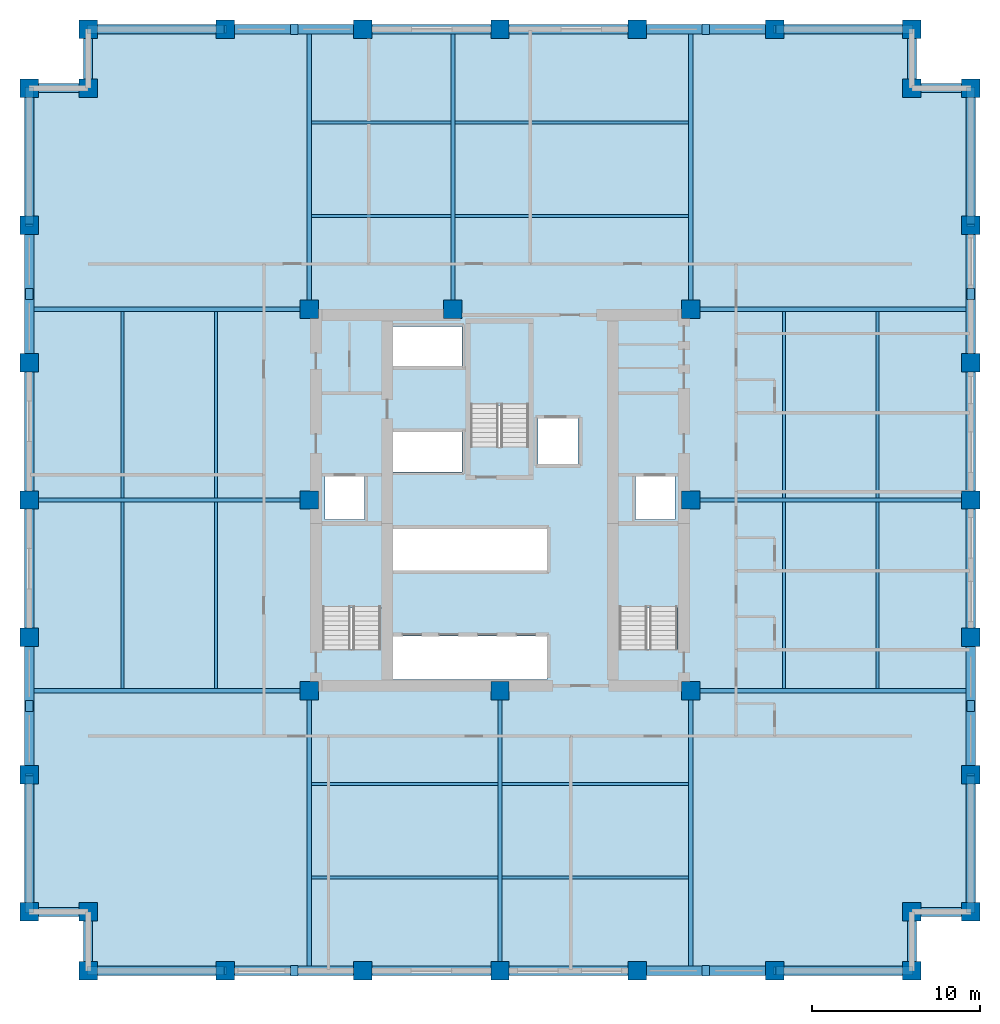
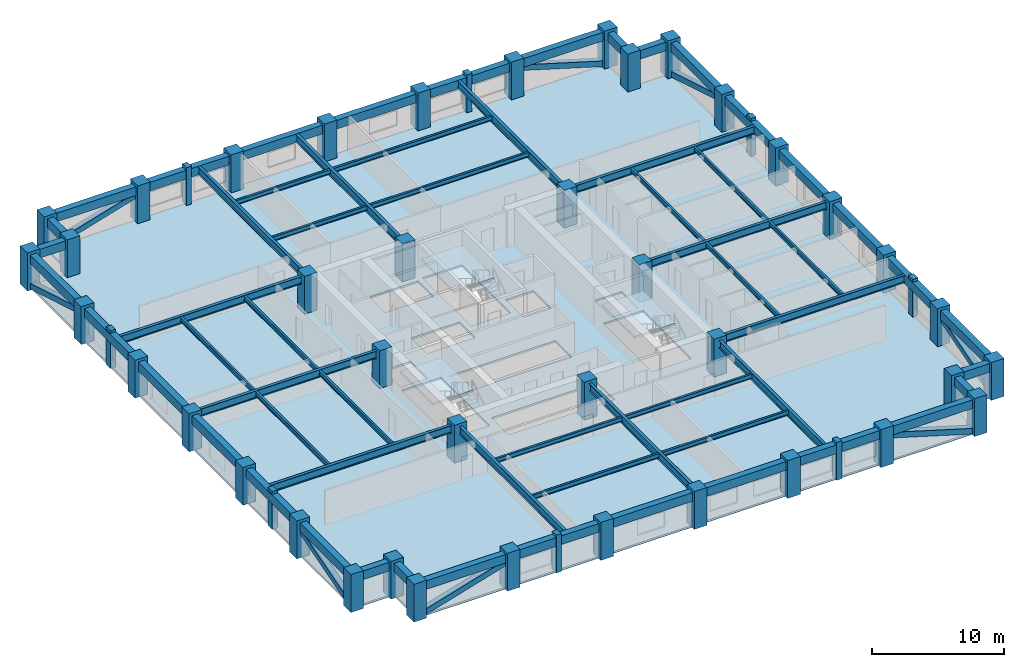
# One storey, part 1 of 7: 60 beams, 40 columns, 16 members, 4 slabs, 3 elements without a shape of their own.
"""IFC4 building model written with IfcOpenShell, lengths in metres."""

from ifc_helpers import new_model, si_unit, direction, frame, origin, origin_2d, place, context, subcontext, project, spatial, polyline, rectangle, hollow_rectangle, i_section, outline, extrude, material, layer, layer_set, material_profile, profile_set, type_object, element, aggregate, save


model = new_model("IFC4")

# Units and contexts
model_context = context("Model", 3, precision=1e-05, world=origin(), true_north=direction((0.0, 1.0)))
body_context = subcontext(model_context, "Body", "Model", "MODEL_VIEW")
ifc_project = project(units=[si_unit("LENGTHUNIT", "METRE"), si_unit("AREAUNIT", "SQUARE_METRE"), si_unit("VOLUMEUNIT", "CUBIC_METRE"), si_unit("PLANEANGLEUNIT", "RADIAN"), si_unit("MASSUNIT", "GRAM", prefix="KILO")], contexts=[model_context])

# Site, building, storey
site_placement = place(None, origin())
site = spatial("IfcSite", under=ifc_project, at=site_placement, CompositionType="ELEMENT")
building_placement = place(site_placement, origin())
building = spatial("IfcBuilding", under=site, at=building_placement, Name="Nhamokura Convention Tower", CompositionType="ELEMENT")
storey_placement = place(building_placement, frame((0.0, 0.0, 73.85009765625)))
storey = spatial("IfcBuildingStorey", under=building, at=storey_placement, Name="L17", CompositionType="ELEMENT", Elevation=73.85009765625)

# Columns
ifc_material_1 = material(Name="Concrete C60/75", Category="concrete")
ifc_material_profile_1 = material_profile(ifc_material_1, rectangle(XDim=1.10009765625, YDim=1.10009765625, at=origin_2d()))
ifc_profile_set_1 = profile_set([ifc_material_profile_1], Name="Concrete C60/75")
column_type = type_object("IfcColumnType", Name="TubeColumn_Z1_1100", PredefinedType="COLUMN", material=ifc_profile_set_1)
for number, where, z_axis, x_axis, name in (
    (1, (20.64990234375, 20.64990234375, 0.0), (0.0, 0.0, 1.0), (1.0, 0.0, 0.0), "L17 Core Column CC-SW"),
    (2, (32.0, 20.64990234375, 0.0), (0.0, 0.0, 1.0), (1.0, 0.0, 0.0), "L17 Core Column CC-S"),
    (3, (43.35009765625, 20.64990234375, 0.0), (0.0, 0.0, 1.0), (1.0, 0.0, 0.0), "L17 Core Column CC-SE"),
    (4, (43.35009765625, 32.0, 0.0), (0.0, 0.0, 1.0), (1.0, 0.0, 0.0), "L17 Core Column CC-E"),
    (5, (43.35009765625, 43.35009765625, 0.0), (0.0, 0.0, 1.0), (1.0, 0.0, 0.0), "L17 Core Column CC-NE"),
    (6, (29.199951171875, 43.35009765625, 0.0), (0.0, 0.0, 1.0), (1.0, 0.0, 0.0), "L17 Core Column CC-N"),
    (7, (20.64990234375, 43.35009765625, 0.0), (0.0, 0.0, 1.0), (1.0, 0.0, 0.0), "L17 Core Column CC-NW"),
    (8, (20.64990234375, 32.0, 0.0), (0.0, 0.0, 1.0), (1.0, 0.0, 0.0), "L17 Core Column CC-W"),
    (9, (7.5, 4.0, 0.0), (0.0, 0.0, 1.0), (1.0, 0.0, 0.0), "L17 Perimeter Tube Column SW1"),
    (10, (7.5, 7.5, 0.0), (0.0, 0.0, 1.0), (1.0, 0.0, 0.0), "L17 Perimeter Tube Column SW0"),
    (11, (4.0, 7.5, 0.0), (0.0, 0.0, 1.0), (1.0, 0.0, 0.0), "L17 Perimeter Tube Column SW2"),
    (12, (56.5, 4.0, 0.0), (0.0, 0.0, 1.0), (1.0, 0.0, 0.0), "L17 Perimeter Tube Column SE1"),
    (13, (56.5, 7.5, 0.0), (0.0, 0.0, 1.0), (1.0, 0.0, 0.0), "L17 Perimeter Tube Column SE0"),
    (14, (60.0, 7.5, 0.0), (0.0, 0.0, 1.0), (1.0, 0.0, 0.0), "L17 Perimeter Tube Column SE2"),
    (15, (60.0, 56.5, 0.0), (0.0, 0.0, 1.0), (1.0, 0.0, 0.0), "L17 Perimeter Tube Column NE1"),
    (16, (56.5, 56.5, 0.0), (0.0, 0.0, 1.0), (1.0, 0.0, 0.0), "L17 Perimeter Tube Column NE0"),
    (17, (56.5, 60.0, 0.0), (0.0, 0.0, 1.0), (1.0, 0.0, 0.0), "L17 Perimeter Tube Column NE2"),
    (18, (7.5, 60.0, 0.0), (0.0, 0.0, 1.0), (1.0, 0.0, 0.0), "L17 Perimeter Tube Column NW1"),
    (19, (7.5, 56.5, 0.0), (0.0, 0.0, 1.0), (1.0, 0.0, 0.0), "L17 Perimeter Tube Column NW0"),
    (20, (4.0, 56.5, 0.0), (0.0, 0.0, 1.0), (1.0, 0.0, 0.0), "L17 Perimeter Tube Column NW2"),
    (21, (15.666748046875, 4.0, 0.0), (0.0, 0.0, 1.0), (1.0, 0.0, 0.0), "L17 Perimeter Tube Column S1"),
    (22, (15.666748046875, 60.0, 0.0), (0.0, 0.0, 1.0), (1.0, 0.0, 0.0), "L17 Perimeter Tube Column N1"),
    (23, (4.0, 15.666748046875, 0.0), (0.0, 0.0, 1.0), (1.0, 0.0, 0.0), "L17 Perimeter Tube Column W1"),
    (24, (60.0, 15.666748046875, 0.0), (0.0, 0.0, 1.0), (1.0, 0.0, 0.0), "L17 Perimeter Tube Column E1"),
    (25, (23.833251953125, 4.0, 0.0), (0.0, 0.0, 1.0), (1.0, 0.0, 0.0), "L17 Perimeter Tube Column S2"),
    (26, (23.833251953125, 60.0, 0.0), (0.0, 0.0, 1.0), (1.0, 0.0, 0.0), "L17 Perimeter Tube Column N2"),
    (27, (4.0, 23.833251953125, 0.0), (0.0, 0.0, 1.0), (1.0, 0.0, 0.0), "L17 Perimeter Tube Column W2"),
    (28, (60.0, 23.833251953125, 0.0), (0.0, 0.0, 1.0), (1.0, 0.0, 0.0), "L17 Perimeter Tube Column E2"),
    (29, (32.0, 4.0, 0.0), (0.0, 0.0, 1.0), (1.0, 0.0, 0.0), "L17 Perimeter Tube Column S3"),
    (30, (32.0, 60.0, 0.0), (0.0, 0.0, 1.0), (1.0, 0.0, 0.0), "L17 Perimeter Tube Column N3"),
    (31, (4.0, 32.0, 0.0), (0.0, 0.0, 1.0), (1.0, 0.0, 0.0), "L17 Perimeter Tube Column W3"),
    (32, (60.0, 32.0, 0.0), (0.0, 0.0, 1.0), (1.0, 0.0, 0.0), "L17 Perimeter Tube Column E3"),
    (33, (40.166748046875, 4.0, 0.0), (0.0, 0.0, 1.0), (1.0, 0.0, 0.0), "L17 Perimeter Tube Column S4"),
    (34, (40.166748046875, 60.0, 0.0), (0.0, 0.0, 1.0), (1.0, 0.0, 0.0), "L17 Perimeter Tube Column N4"),
    (35, (4.0, 40.166748046875, 0.0), (0.0, 0.0, 1.0), (1.0, 0.0, 0.0), "L17 Perimeter Tube Column W4"),
    (36, (60.0, 40.166748046875, 0.0), (0.0, 0.0, 1.0), (1.0, 0.0, 0.0), "L17 Perimeter Tube Column E4"),
    (37, (48.333251953125, 4.0, 0.0), (0.0, 0.0, 1.0), (1.0, 0.0, 0.0), "L17 Perimeter Tube Column S5"),
    (38, (48.333251953125, 60.0, 0.0), (0.0, 0.0, 1.0), (1.0, 0.0, 0.0), "L17 Perimeter Tube Column N5"),
    (39, (4.0, 48.333251953125, 0.0), (0.0, 0.0, 1.0), (1.0, 0.0, 0.0), "L17 Perimeter Tube Column W5"),
    (40, (60.0, 48.333251953125, 0.0), (0.0, 0.0, 1.0), (1.0, 0.0, 0.0), "L17 Perimeter Tube Column E5"),
):
    element("IfcColumn", number, at=place(storey_placement, frame(where, z_axis=z_axis, x_axis=x_axis)), inside=storey, type_object=column_type, Name=name, PredefinedType="COLUMN", context=body_context, shape_type="SweptSolid", body=[
        extrude(rectangle(XDim=1.10009765625, YDim=1.10009765625, at=origin_2d()), origin(), (0.0, 0.0, 1.0), 3.5),
    ])

# Members
ifc_material_2 = material(Name="Bronze-pigmented precast concrete C45/55", Category="concrete")
ifc_material_profile_2 = material_profile(ifc_material_2, rectangle(XDim=0.449951171875, YDim=0.64990234375, at=origin_2d()))
ifc_profile_set_2 = profile_set([ifc_material_profile_2], Name="Bronze-pigmented precast concrete C45/55")
member_type_1 = type_object("IfcMemberType", Name="BronzePilaster_650", PredefinedType="USERDEFINED", material=ifc_profile_set_2)
for number, where, z_axis, x_axis, name in (
    (41, (19.75, 4.0, 0.0), (0.0, 0.0, 1.0), (1.0, 0.0, 0.0), "L17 Engaged Frame Pilaster SOUTH 1"),
    (42, (44.25, 4.0, 0.0), (0.0, 0.0, 1.0), (1.0, 0.0, 0.0), "L17 Engaged Frame Pilaster SOUTH 4"),
    (43, (19.75, 60.0, 0.0), (0.0, 0.0, 1.0), (1.0, 0.0, 0.0), "L17 Engaged Frame Pilaster NORTH 1"),
    (44, (44.25, 60.0, 0.0), (0.0, 0.0, 1.0), (1.0, 0.0, 0.0), "L17 Engaged Frame Pilaster NORTH 4"),
    (45, (4.0, 19.75, 0.0), (0.0, 0.0, 1.0), (1.0, 0.0, 0.0), "L17 Engaged Frame Pilaster WEST 1"),
    (46, (4.0, 44.25, 0.0), (0.0, 0.0, 1.0), (1.0, 0.0, 0.0), "L17 Engaged Frame Pilaster WEST 4"),
    (47, (60.0, 19.75, 0.0), (0.0, 0.0, 1.0), (1.0, 0.0, 0.0), "L17 Engaged Frame Pilaster EAST 1"),
    (48, (60.0, 44.25, 0.0), (0.0, 0.0, 1.0), (1.0, 0.0, 0.0), "L17 Engaged Frame Pilaster EAST 4"),
):
    element("IfcMember", number, at=place(storey_placement, frame(where, z_axis=z_axis, x_axis=x_axis)), inside=storey, type_object=member_type_1, Name=name, ObjectType="PILASTER_TRIM", PredefinedType="USERDEFINED", context=body_context, shape_type="SweptSolid", body=[
        extrude(rectangle(XDim=0.449951171875, YDim=0.64990234375, at=origin_2d()), origin(), (0.0, 0.0, 1.0), 3.5),
    ])

# Beams
ifc_material_3 = material(Name="Steel ASTM A992 Gr 50", Category="steel")
ifc_material_profile_3 = material_profile(ifc_material_3, i_section(OverallWidth=0.178955078125, OverallDepth=0.409912109375, WebThickness=0.0087890625, FlangeThickness=0.014404296875, at=origin_2d()))
ifc_profile_set_3 = profile_set([ifc_material_profile_3], Name="Steel ASTM A992 Gr 50")
beam_type_1 = type_object("IfcBeamType", Name="FloorJoist_W410X67", PredefinedType="JOIST", material=ifc_profile_set_3)
for number, where, z_axis, x_axis, name in (
    (49, (20.77587890625, 9.550048828125, 3.034912109375), (1.0, 0.0, 0.0), (0.0, 1.0, 0.0), "L17 Composite Floor Joist S1A"),
    (50, (32.1259765625, 9.550048828125, 3.034912109375), (1.0, 0.0, 0.0), (0.0, 1.0, 0.0), "L17 Composite Floor Joist S1B"),
    (51, (20.77587890625, 15.10009765625, 3.034912109375), (1.0, 0.0, 0.0), (0.0, 1.0, 0.0), "L17 Composite Floor Joist S2A"),
    (52, (32.1259765625, 15.10009765625, 3.034912109375), (1.0, 0.0, 0.0), (0.0, 1.0, 0.0), "L17 Composite Floor Joist S2B"),
):
    element("IfcBeam", number, at=place(storey_placement, frame(where, z_axis=z_axis, x_axis=x_axis)), inside=storey, type_object=beam_type_1, Name=name, PredefinedType="JOIST", context=body_context, shape_type="SweptSolid", body=[
        extrude(i_section(OverallWidth=0.178955078125, OverallDepth=0.409912109375, WebThickness=0.0087890625, FlangeThickness=0.014404296875, at=origin_2d()), origin(), (0.0, 0.0, 1.0), 11.09814453125),
    ])
beam_1_placement = place(storey_placement, frame((20.77587890625, 48.89990234375, 3.034912109375), z_axis=(1.0, 0.0, 0.0), x_axis=(0.0, 1.0, 0.0)))
element("IfcBeam", 53, at=beam_1_placement, inside=storey, type_object=beam_type_1, Name="L17 Composite Floor Joist N1A", PredefinedType="JOIST", context=body_context, shape_type="SweptSolid", body=[
    extrude(i_section(OverallWidth=0.178955078125, OverallDepth=0.409912109375, WebThickness=0.0087890625, FlangeThickness=0.014404296875, at=origin_2d()), origin(), (0.0, 0.0, 1.0), 8.298095703125),
])
beam_2_placement = place(storey_placement, frame((29.325927734375, 48.89990234375, 3.034912109375), z_axis=(1.0, 0.0, 0.0), x_axis=(0.0, 1.0, 0.0)))
element("IfcBeam", 54, at=beam_2_placement, inside=storey, type_object=beam_type_1, Name="L17 Composite Floor Joist N1B", PredefinedType="JOIST", context=body_context, shape_type="SweptSolid", body=[
    extrude(i_section(OverallWidth=0.178955078125, OverallDepth=0.409912109375, WebThickness=0.0087890625, FlangeThickness=0.014404296875, at=origin_2d()), origin(), (0.0, 0.0, 1.0), 13.898193359375),
])
beam_3_placement = place(storey_placement, frame((20.77587890625, 54.449951171875, 3.034912109375), z_axis=(1.0, 0.0, 0.0), x_axis=(0.0, 1.0, 0.0)))
element("IfcBeam", 55, at=beam_3_placement, inside=storey, type_object=beam_type_1, Name="L17 Composite Floor Joist N2A", PredefinedType="JOIST", context=body_context, shape_type="SweptSolid", body=[
    extrude(i_section(OverallWidth=0.178955078125, OverallDepth=0.409912109375, WebThickness=0.0087890625, FlangeThickness=0.014404296875, at=origin_2d()), origin(), (0.0, 0.0, 1.0), 8.298095703125),
])
beam_4_placement = place(storey_placement, frame((29.325927734375, 54.449951171875, 3.034912109375), z_axis=(1.0, 0.0, 0.0), x_axis=(0.0, 1.0, 0.0)))
element("IfcBeam", 56, at=beam_4_placement, inside=storey, type_object=beam_type_1, Name="L17 Composite Floor Joist N2B", PredefinedType="JOIST", context=body_context, shape_type="SweptSolid", body=[
    extrude(i_section(OverallWidth=0.178955078125, OverallDepth=0.409912109375, WebThickness=0.0087890625, FlangeThickness=0.014404296875, at=origin_2d()), origin(), (0.0, 0.0, 1.0), 13.898193359375),
])
for number, where, z_axis, x_axis, name in (
    (57, (9.550048828125, 20.77587890625, 3.034912109375), (0.0, 1.0, 0.0), (-1.0, 0.0, 0.0), "L17 Composite Floor Joist W1A"),
    (58, (9.550048828125, 32.1259765625, 3.034912109375), (0.0, 1.0, 0.0), (-1.0, 0.0, 0.0), "L17 Composite Floor Joist W1B"),
    (59, (15.10009765625, 20.77587890625, 3.034912109375), (0.0, 1.0, 0.0), (-1.0, 0.0, 0.0), "L17 Composite Floor Joist W2A"),
    (60, (15.10009765625, 32.1259765625, 3.034912109375), (0.0, 1.0, 0.0), (-1.0, 0.0, 0.0), "L17 Composite Floor Joist W2B"),
    (61, (48.89990234375, 20.77587890625, 3.034912109375), (0.0, 1.0, 0.0), (-1.0, 0.0, 0.0), "L17 Composite Floor Joist E1A"),
    (62, (48.89990234375, 32.1259765625, 3.034912109375), (0.0, 1.0, 0.0), (-1.0, 0.0, 0.0), "L17 Composite Floor Joist E1B"),
    (63, (54.449951171875, 20.77587890625, 3.034912109375), (0.0, 1.0, 0.0), (-1.0, 0.0, 0.0), "L17 Composite Floor Joist E2A"),
    (64, (54.449951171875, 32.1259765625, 3.034912109375), (0.0, 1.0, 0.0), (-1.0, 0.0, 0.0), "L17 Composite Floor Joist E2B"),
):
    element("IfcBeam", number, at=place(storey_placement, frame(where, z_axis=z_axis, x_axis=x_axis)), inside=storey, type_object=beam_type_1, Name=name, PredefinedType="JOIST", context=body_context, shape_type="SweptSolid", body=[
        extrude(i_section(OverallWidth=0.178955078125, OverallDepth=0.409912109375, WebThickness=0.0087890625, FlangeThickness=0.014404296875, at=origin_2d()), origin(), (0.0, 0.0, 1.0), 11.09814453125),
    ])
ifc_material_4 = material(Name="Steel ASTM A992 Gr 50", Category="steel")
ifc_material_profile_4 = material_profile(ifc_material_4, i_section(OverallWidth=0.256103515625, OverallDepth=0.693115234375, WebThickness=0.014404296875, FlangeThickness=0.023681640625, at=origin_2d()))
ifc_profile_set_4 = profile_set([ifc_material_profile_4], Name="Steel ASTM A992 Gr 50")
beam_type_2 = type_object("IfcBeamType", Name="PrimaryGirder_W690X170", PredefinedType="BEAM", material=ifc_profile_set_4)
for number, where, z_axis, x_axis, name in (
    (65, (20.64990234375, 4.0, 2.893310546875), (0.0, 1.0, 0.0), (-1.0, 0.0, 0.0), "L17 Primary Floor Girder PG-S1"),
    (66, (32.0, 4.0, 2.893310546875), (0.0, 1.0, 0.0), (-1.0, 0.0, 0.0), "L17 Primary Floor Girder PG-S2"),
    (67, (43.35009765625, 4.0, 2.893310546875), (0.0, 1.0, 0.0), (-1.0, 0.0, 0.0), "L17 Primary Floor Girder PG-S3"),
    (68, (20.64990234375, 43.35009765625, 2.893310546875), (0.0, 1.0, 0.0), (-1.0, 0.0, 0.0), "L17 Primary Floor Girder PG-N1"),
    (69, (29.199951171875, 43.35009765625, 2.893310546875), (0.0, 1.0, 0.0), (-1.0, 0.0, 0.0), "L17 Primary Floor Girder PG-N2"),
    (70, (43.35009765625, 43.35009765625, 2.893310546875), (0.0, 1.0, 0.0), (-1.0, 0.0, 0.0), "L17 Primary Floor Girder PG-N3"),
    (71, (4.0, 20.64990234375, 2.893310546875), (1.0, 0.0, 0.0), (0.0, 1.0, 0.0), "L17 Primary Floor Girder PG-W1"),
    (72, (4.0, 32.0, 2.893310546875), (1.0, 0.0, 0.0), (0.0, 1.0, 0.0), "L17 Primary Floor Girder PG-W2"),
    (73, (4.0, 43.35009765625, 2.893310546875), (1.0, 0.0, 0.0), (0.0, 1.0, 0.0), "L17 Primary Floor Girder PG-W3"),
    (74, (43.35009765625, 20.64990234375, 2.893310546875), (1.0, 0.0, 0.0), (0.0, 1.0, 0.0), "L17 Primary Floor Girder PG-E1"),
    (75, (43.35009765625, 32.0, 2.893310546875), (1.0, 0.0, 0.0), (0.0, 1.0, 0.0), "L17 Primary Floor Girder PG-E2"),
    (76, (43.35009765625, 43.35009765625, 2.893310546875), (1.0, 0.0, 0.0), (0.0, 1.0, 0.0), "L17 Primary Floor Girder PG-E3"),
):
    element("IfcBeam", number, at=place(storey_placement, frame(where, z_axis=z_axis, x_axis=x_axis)), inside=storey, type_object=beam_type_2, Name=name, PredefinedType="BEAM", context=body_context, shape_type="SweptSolid", body=[
        extrude(i_section(OverallWidth=0.256103515625, OverallDepth=0.693115234375, WebThickness=0.014404296875, FlangeThickness=0.023681640625, at=origin_2d()), origin(), (0.0, 0.0, 1.0), 16.64990234375),
    ])

# Members
ifc_material_5 = material(Name="Steel ASTM A572 Gr 50", Category="steel")
ifc_material_profile_5 = material_profile(ifc_material_5, hollow_rectangle(XDim=0.5, YDim=0.5, WallThickness=0.02490234375, at=origin_2d()))
ifc_profile_set_5 = profile_set([ifc_material_profile_5], Name="Steel ASTM A572 Gr 50")
member_type_2 = type_object("IfcMemberType", Name="TubeBrace_HSS500", PredefinedType="BRACE", material=ifc_profile_set_5)
for number, where, z_axis, x_axis, name in (
    (77, (7.5, 4.0, 0.14990234375), (0.958151259396, 0.0, 0.286262404305), (0.0, 1.0, 0.0), "L17 Perimeter Tube Brace SOUTH Bay 0"),
    (78, (56.5, 4.0, 0.14990234375), (-0.958151259396, 0.0, 0.286262404305), (0.0, -1.0, 0.0), "L17 Perimeter Tube Brace SOUTH Bay 5"),
    (79, (7.5, 60.0, 0.14990234375), (0.958151259396, 0.0, 0.286262404305), (0.0, 1.0, 0.0), "L17 Perimeter Tube Brace NORTH Bay 0"),
    (80, (56.5, 60.0, 0.14990234375), (-0.958151259396, 0.0, 0.286262404305), (0.0, -1.0, 0.0), "L17 Perimeter Tube Brace NORTH Bay 5"),
    (81, (4.0, 7.5, 0.14990234375), (0.0, 0.958151259396, 0.286262404305), (-1.0, 0.0, 0.0), "L17 Perimeter Tube Brace WEST Bay 0"),
    (82, (4.0, 56.5, 0.14990234375), (0.0, -0.958151259396, 0.286262404305), (1.0, 0.0, 0.0), "L17 Perimeter Tube Brace WEST Bay 5"),
    (83, (60.0, 7.5, 0.14990234375), (0.0, 0.958151259396, 0.286262404305), (-1.0, 0.0, 0.0), "L17 Perimeter Tube Brace EAST Bay 0"),
    (84, (60.0, 56.5, 0.14990234375), (0.0, -0.958151259396, 0.286262404305), (1.0, 0.0, 0.0), "L17 Perimeter Tube Brace EAST Bay 5"),
):
    element("IfcMember", number, at=place(storey_placement, frame(where, z_axis=z_axis, x_axis=x_axis)), inside=storey, type_object=member_type_2, Name=name, PredefinedType="BRACE", context=body_context, shape_type="SweptSolid", body=[
        extrude(hollow_rectangle(XDim=0.5, YDim=0.5, WallThickness=0.02490234375, at=origin_2d()), origin(), (0.0, 0.0, 1.0), 8.5234375),
    ])

# Beams
ifc_material_6 = material(Name="Concrete C50/60", Category="concrete")
ifc_material_profile_6 = material_profile(ifc_material_6, rectangle(XDim=0.550048828125, YDim=0.800048828125, at=origin_2d()))
ifc_profile_set_6 = profile_set([ifc_material_profile_6], Name="Concrete C50/60")
beam_type_3 = type_object("IfcBeamType", Name="TubeSpandrel_800", PredefinedType="SPANDREL", material=ifc_profile_set_6)
beam_5_placement = place(storey_placement, frame((7.5, 4.0, 2.83984375), z_axis=(1.0, 0.0, 0.0), x_axis=(0.0, 1.0, 0.0)))
element("IfcBeam", 85, at=beam_5_placement, inside=storey, type_object=beam_type_3, Name="L17 Perimeter Spandrel SOUTH 1", PredefinedType="SPANDREL", context=body_context, shape_type="SweptSolid", body=[
    extrude(rectangle(XDim=0.550048828125, YDim=0.800048828125, at=origin_2d()), origin(), (0.0, 0.0, 1.0), 8.166748046875),
])
beam_6_placement = place(storey_placement, frame((15.666748046875, 4.0, 2.83984375), z_axis=(1.0, 0.0, 0.0), x_axis=(0.0, 1.0, 0.0)))
element("IfcBeam", 86, at=beam_6_placement, inside=storey, type_object=beam_type_3, Name="L17 Perimeter Spandrel SOUTH 2", PredefinedType="SPANDREL", context=body_context, shape_type="SweptSolid", body=[
    extrude(rectangle(XDim=0.550048828125, YDim=0.800048828125, at=origin_2d()), origin(), (0.0, 0.0, 1.0), 8.16650390625),
])
for number, where, z_axis, x_axis, name in (
    (87, (23.833251953125, 4.0, 2.83984375), (1.0, 0.0, 0.0), (0.0, 1.0, 0.0), "L17 Perimeter Spandrel SOUTH 3"),
    (88, (32.0, 4.0, 2.83984375), (1.0, 0.0, 0.0), (0.0, 1.0, 0.0), "L17 Perimeter Spandrel SOUTH 4"),
):
    element("IfcBeam", number, at=place(storey_placement, frame(where, z_axis=z_axis, x_axis=x_axis)), inside=storey, type_object=beam_type_3, Name=name, PredefinedType="SPANDREL", context=body_context, shape_type="SweptSolid", body=[
        extrude(rectangle(XDim=0.550048828125, YDim=0.800048828125, at=origin_2d()), origin(), (0.0, 0.0, 1.0), 8.166748046875),
    ])
beam_7_placement = place(storey_placement, frame((40.166748046875, 4.0, 2.83984375), z_axis=(1.0, 0.0, 0.0), x_axis=(0.0, 1.0, 0.0)))
element("IfcBeam", 89, at=beam_7_placement, inside=storey, type_object=beam_type_3, Name="L17 Perimeter Spandrel SOUTH 5", PredefinedType="SPANDREL", context=body_context, shape_type="SweptSolid", body=[
    extrude(rectangle(XDim=0.550048828125, YDim=0.800048828125, at=origin_2d()), origin(), (0.0, 0.0, 1.0), 8.16650390625),
])
for number, where, z_axis, x_axis, name in (
    (90, (48.333251953125, 4.0, 2.83984375), (1.0, 0.0, 0.0), (0.0, 1.0, 0.0), "L17 Perimeter Spandrel SOUTH 6"),
    (91, (7.5, 60.0, 2.83984375), (1.0, 0.0, 0.0), (0.0, 1.0, 0.0), "L17 Perimeter Spandrel NORTH 1"),
):
    element("IfcBeam", number, at=place(storey_placement, frame(where, z_axis=z_axis, x_axis=x_axis)), inside=storey, type_object=beam_type_3, Name=name, PredefinedType="SPANDREL", context=body_context, shape_type="SweptSolid", body=[
        extrude(rectangle(XDim=0.550048828125, YDim=0.800048828125, at=origin_2d()), origin(), (0.0, 0.0, 1.0), 8.166748046875),
    ])
beam_8_placement = place(storey_placement, frame((15.666748046875, 60.0, 2.83984375), z_axis=(1.0, 0.0, 0.0), x_axis=(0.0, 1.0, 0.0)))
element("IfcBeam", 92, at=beam_8_placement, inside=storey, type_object=beam_type_3, Name="L17 Perimeter Spandrel NORTH 2", PredefinedType="SPANDREL", context=body_context, shape_type="SweptSolid", body=[
    extrude(rectangle(XDim=0.550048828125, YDim=0.800048828125, at=origin_2d()), origin(), (0.0, 0.0, 1.0), 8.16650390625),
])
for number, where, z_axis, x_axis, name in (
    (93, (23.833251953125, 60.0, 2.83984375), (1.0, 0.0, 0.0), (0.0, 1.0, 0.0), "L17 Perimeter Spandrel NORTH 3"),
    (94, (32.0, 60.0, 2.83984375), (1.0, 0.0, 0.0), (0.0, 1.0, 0.0), "L17 Perimeter Spandrel NORTH 4"),
):
    element("IfcBeam", number, at=place(storey_placement, frame(where, z_axis=z_axis, x_axis=x_axis)), inside=storey, type_object=beam_type_3, Name=name, PredefinedType="SPANDREL", context=body_context, shape_type="SweptSolid", body=[
        extrude(rectangle(XDim=0.550048828125, YDim=0.800048828125, at=origin_2d()), origin(), (0.0, 0.0, 1.0), 8.166748046875),
    ])
beam_9_placement = place(storey_placement, frame((40.166748046875, 60.0, 2.83984375), z_axis=(1.0, 0.0, 0.0), x_axis=(0.0, 1.0, 0.0)))
element("IfcBeam", 95, at=beam_9_placement, inside=storey, type_object=beam_type_3, Name="L17 Perimeter Spandrel NORTH 5", PredefinedType="SPANDREL", context=body_context, shape_type="SweptSolid", body=[
    extrude(rectangle(XDim=0.550048828125, YDim=0.800048828125, at=origin_2d()), origin(), (0.0, 0.0, 1.0), 8.16650390625),
])
for number, where, z_axis, x_axis, name in (
    (96, (48.333251953125, 60.0, 2.83984375), (1.0, 0.0, 0.0), (0.0, 1.0, 0.0), "L17 Perimeter Spandrel NORTH 6"),
    (97, (4.0, 7.5, 2.83984375), (0.0, 1.0, 0.0), (-1.0, 0.0, 0.0), "L17 Perimeter Spandrel WEST 1"),
):
    element("IfcBeam", number, at=place(storey_placement, frame(where, z_axis=z_axis, x_axis=x_axis)), inside=storey, type_object=beam_type_3, Name=name, PredefinedType="SPANDREL", context=body_context, shape_type="SweptSolid", body=[
        extrude(rectangle(XDim=0.550048828125, YDim=0.800048828125, at=origin_2d()), origin(), (0.0, 0.0, 1.0), 8.166748046875),
    ])
beam_10_placement = place(storey_placement, frame((4.0, 15.666748046875, 2.83984375), z_axis=(0.0, 1.0, 0.0), x_axis=(-1.0, 0.0, 0.0)))
element("IfcBeam", 98, at=beam_10_placement, inside=storey, type_object=beam_type_3, Name="L17 Perimeter Spandrel WEST 2", PredefinedType="SPANDREL", context=body_context, shape_type="SweptSolid", body=[
    extrude(rectangle(XDim=0.550048828125, YDim=0.800048828125, at=origin_2d()), origin(), (0.0, 0.0, 1.0), 8.16650390625),
])
for number, where, z_axis, x_axis, name in (
    (99, (4.0, 23.833251953125, 2.83984375), (0.0, 1.0, 0.0), (-1.0, 0.0, 0.0), "L17 Perimeter Spandrel WEST 3"),
    (100, (4.0, 32.0, 2.83984375), (0.0, 1.0, 0.0), (-1.0, 0.0, 0.0), "L17 Perimeter Spandrel WEST 4"),
):
    element("IfcBeam", number, at=place(storey_placement, frame(where, z_axis=z_axis, x_axis=x_axis)), inside=storey, type_object=beam_type_3, Name=name, PredefinedType="SPANDREL", context=body_context, shape_type="SweptSolid", body=[
        extrude(rectangle(XDim=0.550048828125, YDim=0.800048828125, at=origin_2d()), origin(), (0.0, 0.0, 1.0), 8.166748046875),
    ])
beam_11_placement = place(storey_placement, frame((4.0, 40.166748046875, 2.83984375), z_axis=(0.0, 1.0, 0.0), x_axis=(-1.0, 0.0, 0.0)))
element("IfcBeam", 101, at=beam_11_placement, inside=storey, type_object=beam_type_3, Name="L17 Perimeter Spandrel WEST 5", PredefinedType="SPANDREL", context=body_context, shape_type="SweptSolid", body=[
    extrude(rectangle(XDim=0.550048828125, YDim=0.800048828125, at=origin_2d()), origin(), (0.0, 0.0, 1.0), 8.16650390625),
])
for number, where, z_axis, x_axis, name in (
    (102, (4.0, 48.333251953125, 2.83984375), (0.0, 1.0, 0.0), (-1.0, 0.0, 0.0), "L17 Perimeter Spandrel WEST 6"),
    (103, (60.0, 7.5, 2.83984375), (0.0, 1.0, 0.0), (-1.0, 0.0, 0.0), "L17 Perimeter Spandrel EAST 1"),
):
    element("IfcBeam", number, at=place(storey_placement, frame(where, z_axis=z_axis, x_axis=x_axis)), inside=storey, type_object=beam_type_3, Name=name, PredefinedType="SPANDREL", context=body_context, shape_type="SweptSolid", body=[
        extrude(rectangle(XDim=0.550048828125, YDim=0.800048828125, at=origin_2d()), origin(), (0.0, 0.0, 1.0), 8.166748046875),
    ])
beam_12_placement = place(storey_placement, frame((60.0, 15.666748046875, 2.83984375), z_axis=(0.0, 1.0, 0.0), x_axis=(-1.0, 0.0, 0.0)))
element("IfcBeam", 104, at=beam_12_placement, inside=storey, type_object=beam_type_3, Name="L17 Perimeter Spandrel EAST 2", PredefinedType="SPANDREL", context=body_context, shape_type="SweptSolid", body=[
    extrude(rectangle(XDim=0.550048828125, YDim=0.800048828125, at=origin_2d()), origin(), (0.0, 0.0, 1.0), 8.16650390625),
])
for number, where, z_axis, x_axis, name in (
    (105, (60.0, 23.833251953125, 2.83984375), (0.0, 1.0, 0.0), (-1.0, 0.0, 0.0), "L17 Perimeter Spandrel EAST 3"),
    (106, (60.0, 32.0, 2.83984375), (0.0, 1.0, 0.0), (-1.0, 0.0, 0.0), "L17 Perimeter Spandrel EAST 4"),
):
    element("IfcBeam", number, at=place(storey_placement, frame(where, z_axis=z_axis, x_axis=x_axis)), inside=storey, type_object=beam_type_3, Name=name, PredefinedType="SPANDREL", context=body_context, shape_type="SweptSolid", body=[
        extrude(rectangle(XDim=0.550048828125, YDim=0.800048828125, at=origin_2d()), origin(), (0.0, 0.0, 1.0), 8.166748046875),
    ])
beam_13_placement = place(storey_placement, frame((60.0, 40.166748046875, 2.83984375), z_axis=(0.0, 1.0, 0.0), x_axis=(-1.0, 0.0, 0.0)))
element("IfcBeam", 107, at=beam_13_placement, inside=storey, type_object=beam_type_3, Name="L17 Perimeter Spandrel EAST 5", PredefinedType="SPANDREL", context=body_context, shape_type="SweptSolid", body=[
    extrude(rectangle(XDim=0.550048828125, YDim=0.800048828125, at=origin_2d()), origin(), (0.0, 0.0, 1.0), 8.16650390625),
])
beam_14_placement = place(storey_placement, frame((60.0, 48.333251953125, 2.83984375), z_axis=(0.0, 1.0, 0.0), x_axis=(-1.0, 0.0, 0.0)))
element("IfcBeam", 108, at=beam_14_placement, inside=storey, type_object=beam_type_3, Name="L17 Perimeter Spandrel EAST 6", PredefinedType="SPANDREL", context=body_context, shape_type="SweptSolid", body=[
    extrude(rectangle(XDim=0.550048828125, YDim=0.800048828125, at=origin_2d()), origin(), (0.0, 0.0, 1.0), 8.166748046875),
])
for number, where, z_axis, x_axis, name in (
    (109, (7.5, 4.0, 2.83984375), (0.0, 1.0, 0.0), (-1.0, 0.0, 0.0), "L17 Notch Spandrel SW1"),
    (110, (7.5, 7.5, 2.83984375), (-1.0, 0.0, 0.0), (0.0, -1.0, 0.0), "L17 Notch Spandrel SW2"),
    (111, (56.5, 4.0, 2.83984375), (0.0, 1.0, 0.0), (-1.0, 0.0, 0.0), "L17 Notch Spandrel SE1"),
    (112, (56.5, 7.5, 2.83984375), (1.0, 0.0, 0.0), (0.0, 1.0, 0.0), "L17 Notch Spandrel SE2"),
    (113, (60.0, 56.5, 2.83984375), (-1.0, 0.0, 0.0), (0.0, -1.0, 0.0), "L17 Notch Spandrel NE1"),
    (114, (56.5, 56.5, 2.83984375), (0.0, 1.0, 0.0), (-1.0, 0.0, 0.0), "L17 Notch Spandrel NE2"),
    (115, (7.5, 60.0, 2.83984375), (0.0, -1.0, 0.0), (1.0, 0.0, 0.0), "L17 Notch Spandrel NW1"),
    (116, (7.5, 56.5, 2.83984375), (-1.0, 0.0, 0.0), (0.0, -1.0, 0.0), "L17 Notch Spandrel NW2"),
):
    element("IfcBeam", number, at=place(storey_placement, frame(where, z_axis=z_axis, x_axis=x_axis)), inside=storey, type_object=beam_type_3, Name=name, PredefinedType="SPANDREL", context=body_context, shape_type="SweptSolid", body=[
        extrude(rectangle(XDim=0.550048828125, YDim=0.800048828125, at=origin_2d()), origin(), (0.0, 0.0, 1.0), 3.5),
    ])

# Slab
ifc_material_7 = material(Name="Concrete C40/50", Category="concrete")
ifc_layer_1 = layer(ifc_material_7, 0.179931640625)
ifc_layer_set_1 = layer_set([ifc_layer_1], Name="HotelFloorSlab_180")
slab_type_1 = type_object("IfcSlabType", Name="HotelFloorSlab_180", PredefinedType="FLOOR", material=ifc_layer_set_1)
slab_1_placement = place(storey_placement, frame((0.0, 0.0, -0.18017578125)))
element("IfcSlab", 117, at=slab_1_placement, inside=storey, type_object=slab_type_1, Name="L17 Structural Floor Slab", PredefinedType="FLOOR", context=body_context, shape_type="SweptSolid", body=[
    extrude(outline(polyline([(7.5, 4.0), (56.5, 4.0), (56.5, 7.5), (60.0, 7.5), (60.0, 56.5), (56.5, 56.5), (56.5, 60.0), (7.5, 60.0), (7.5, 56.5), (4.0, 56.5), (4.0, 7.5), (7.5, 7.5), (7.5, 4.0)]), holes=[polyline([(24.89990234375, 23.10009765625), (24.89990234375, 30.449951171875), (21.449951171875, 30.449951171875), (21.449951171875, 23.10009765625), (24.89990234375, 23.10009765625)]), polyline([(42.550048828125, 23.10009765625), (42.550048828125, 30.449951171875), (39.10009765625, 30.449951171875), (39.10009765625, 23.10009765625), (42.550048828125, 23.10009765625)]), polyline([(33.699951171875, 35.14990234375), (33.699951171875, 42.5), (30.25, 42.5), (30.25, 35.14990234375), (33.699951171875, 35.14990234375)]), polyline([(21.60009765625, 30.85009765625), (23.949951171875, 30.85009765625), (23.949951171875, 33.39990234375), (21.60009765625, 33.39990234375), (21.60009765625, 30.85009765625)]), polyline([(40.050048828125, 30.85009765625), (42.39990234375, 30.85009765625), (42.39990234375, 33.39990234375), (40.050048828125, 33.39990234375), (40.050048828125, 30.85009765625)]), polyline([(34.25, 34.14990234375), (36.64990234375, 34.14990234375), (36.64990234375, 36.85009765625), (34.25, 36.85009765625), (34.25, 34.14990234375)]), polyline([(25.52001953125, 21.320068359375), (34.800048828125, 21.320068359375), (34.800048828125, 23.89990234375), (25.52001953125, 23.89990234375), (25.52001953125, 21.320068359375)]), polyline([(25.52001953125, 27.800048828125), (34.800048828125, 27.800048828125), (34.800048828125, 30.300048828125), (25.52001953125, 30.300048828125), (25.52001953125, 27.800048828125)]), polyline([(25.52001953125, 33.679931640625), (29.75, 33.679931640625), (29.75, 36.050048828125), (25.52001953125, 36.050048828125), (25.52001953125, 33.679931640625)]), polyline([(25.52001953125, 39.949951171875), (29.75, 39.949951171875), (29.75, 42.320068359375), (25.52001953125, 42.320068359375), (25.52001953125, 39.949951171875)])]), origin(), (0.0, 0.0, 1.0), 0.18017578125),
])

# Stair, slab
ifc_material_8 = material(Name="Concrete C40/50", Category="concrete")
stair_type = type_object("IfcStairType", Name="TowerCoreStair_1650", PredefinedType="HALF_TURN_STAIR", material=ifc_material_8)
stair_1_placement = place(storey_placement, origin())
stair_1 = element("IfcStair", 118, at=stair_1_placement, inside=storey, type_object=stair_type, Name="L17 West Core Smokeproof Stair ST-01", PredefinedType="HALF_TURN_STAIR")
ifc_material_9 = material(Name="Concrete C40/50", Category="concrete")
ifc_layer_2 = layer(ifc_material_9, 0.199951171875)
ifc_layer_set_2 = layer_set([ifc_layer_2], Name="StairLandingSlab_200")
slab_type_2 = type_object("IfcSlabType", Name="StairLandingSlab_200", PredefinedType="LANDING", material=ifc_layer_set_2)
slab_2_placement = place(storey_placement, frame((0.0, 0.0, 1.5498046875)))
slab_2 = element("IfcSlab", 119, at=slab_2_placement, type_object=slab_type_2, Name="ST-01 landing 1", PredefinedType="LANDING", context=body_context, shape_type="SweptSolid", body=[
    extrude(outline(polyline([(24.97998046875, 25.5849609375), (24.97998046875, 30.530029296875), (21.3701171875, 30.530029296875), (21.3701171875, 25.5849609375), (24.97998046875, 25.5849609375)])), origin(), (0.0, 0.0, 1.0), 0.2001953125),
])
aggregate(stair_1, [slab_2])

stair_2_placement = place(storey_placement, origin())
stair_2 = element("IfcStair", 120, at=stair_2_placement, inside=storey, type_object=stair_type, Name="L17 East Core Smokeproof Stair ST-02", PredefinedType="HALF_TURN_STAIR")
slab_3_placement = place(storey_placement, frame((0.0, 0.0, 1.5498046875)))
slab_3 = element("IfcSlab", 121, at=slab_3_placement, type_object=slab_type_2, Name="ST-02 landing 1", PredefinedType="LANDING", context=body_context, shape_type="SweptSolid", body=[
    extrude(outline(polyline([(42.6298828125, 25.5849609375), (42.6298828125, 30.530029296875), (39.02001953125, 30.530029296875), (39.02001953125, 25.5849609375), (42.6298828125, 25.5849609375)])), origin(), (0.0, 0.0, 1.0), 0.2001953125),
])
aggregate(stair_2, [slab_3])

stair_3_placement = place(storey_placement, origin())
stair_3 = element("IfcStair", 122, at=stair_3_placement, inside=storey, type_object=stair_type, Name="L17 North Core Smokeproof Stair ST-03", PredefinedType="HALF_TURN_STAIR")
slab_4_placement = place(storey_placement, frame((0.0, 0.0, 1.5498046875)))
slab_4 = element("IfcSlab", 123, at=slab_4_placement, type_object=slab_type_2, Name="ST-03 landing 1", PredefinedType="LANDING", context=body_context, shape_type="SweptSolid", body=[
    extrude(outline(polyline([(33.780029296875, 37.635009765625), (33.780029296875, 42.580078125), (30.169921875, 42.580078125), (30.169921875, 37.635009765625), (33.780029296875, 37.635009765625)])), origin(), (0.0, 0.0, 1.0), 0.2001953125),
])
aggregate(stair_3, [slab_4])

save(model, "model.ifc")
